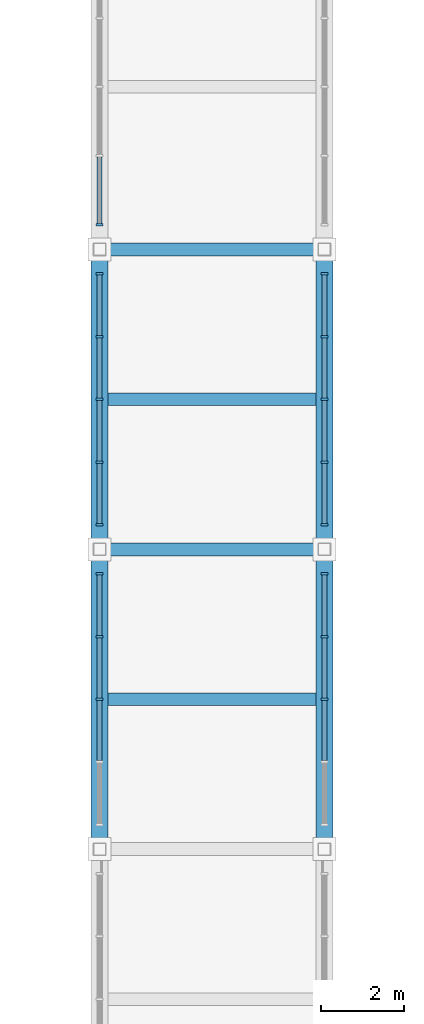
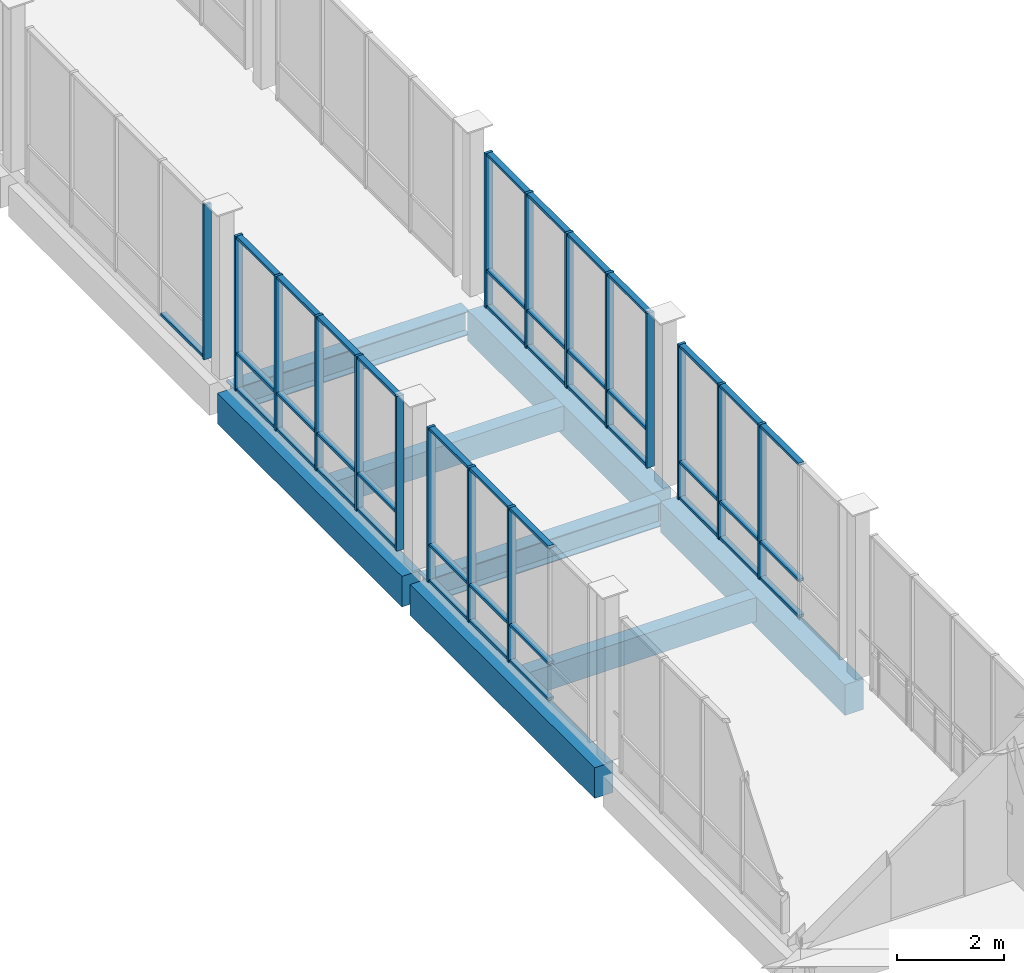
# One storey, part 22 of 85: 60 members, 8 beams, 5 elements without a shape of their own.
"""IFC4 building model written with IfcOpenShell, lengths in metres."""

from ifc_helpers import new_model, si_unit, direction, frame, origin, origin_2d, place, context, subcontext, project, spatial, rectangle, i_section, extrude, material, material_profile, profile_set, type_object, element, aggregate, save


model = new_model("IFC4")

# Units and contexts
model_context = context("Model", 3, precision=1e-05, world=origin(), true_north=direction((0.0, 1.0)))
body_context = subcontext(model_context, "Body", "Model", "MODEL_VIEW")
ifc_project = project(units=[si_unit("LENGTHUNIT", "METRE"), si_unit("AREAUNIT", "SQUARE_METRE"), si_unit("VOLUMEUNIT", "CUBIC_METRE"), si_unit("PLANEANGLEUNIT", "RADIAN"), si_unit("MASSUNIT", "GRAM", prefix="KILO")], contexts=[model_context])

# Site, building, storey
site_placement = place(None, origin())
site = spatial("IfcSite", under=ifc_project, at=site_placement, CompositionType="ELEMENT")
building_placement = place(site_placement, origin())
building = spatial("IfcBuilding", under=site, at=building_placement, Name="Vervanel Yard Central Library", CompositionType="ELEMENT")
storey_placement = place(building_placement, frame((0.0, 0.0, 5.10009765625)))
storey = spatial("IfcBuildingStorey", under=building, at=storey_placement, Name="L01", CompositionType="ELEMENT", Elevation=5.10009765625)

# Curtain wall, members
ifc_material_1 = material(Name="Thermally broken anodized aluminium 6063-T6", Category="aluminium")
curtain_wall_type = type_object("IfcCurtainWallType", Name="Boulevard Cafe & Bridge Curtain Wall", PredefinedType="NOTDEFINED", material=ifc_material_1)
curtain_wall_1_placement = place(storey_placement, origin())
curtain_wall_1 = element("IfcCurtainWall", 1, at=curtain_wall_1_placement, inside=storey, type_object=curtain_wall_type, Name="L01 Boulevard Cafe & Bridge Curtain Wall CWR-L01-177", PredefinedType="NOTDEFINED")
ifc_material_profile_1 = material_profile(ifc_material_1, rectangle(XDim=0.06005859375, YDim=0.159912109375, at=origin_2d()), Name="ALU 60x160", Category="aluminium")
ifc_profile_set_1 = profile_set([ifc_material_profile_1], Name="Thermally broken anodized aluminium 6063-T6")
member_type_1 = type_object("IfcMemberType", Name="Bridge & Courtyard Mullion 60x160", PredefinedType="MULLION", material=ifc_profile_set_1)
member_1_placement = place(storey_placement, frame((72.0, 32.39990234375, 0.0), z_axis=(0.0, 0.0, 1.0), x_axis=(0.0, 1.0, 0.0)))
member_1 = element("IfcMember", 2, at=member_1_placement, type_object=member_type_1, Name="CWR-L01-177 Mullion 3", PredefinedType="MULLION", context=body_context, shape_type="SweptSolid", body=[
    extrude(rectangle(XDim=0.06005859375, YDim=0.159912109375, at=origin_2d()), origin(), (0.0, 0.0, 1.0), 3.52978515625),
])
member_2_placement = place(storey_placement, frame((72.0, 33.905029296875, 0.0), z_axis=(0.0, 0.0, 1.0), x_axis=(0.0, 1.0, 0.0)))
member_2 = element("IfcMember", 3, at=member_2_placement, type_object=member_type_1, Name="CWR-L01-177 Mullion 4", PredefinedType="MULLION", context=body_context, shape_type="SweptSolid", body=[
    extrude(rectangle(XDim=0.06005859375, YDim=0.159912109375, at=origin_2d()), origin(), (0.0, 0.0, 1.0), 3.52978515625),
])
member_3_placement = place(storey_placement, frame((72.0, 35.409912109375, 0.0), z_axis=(0.0, 0.0, 1.0), x_axis=(0.0, 1.0, 0.0)))
member_3 = element("IfcMember", 4, at=member_3_placement, type_object=member_type_1, Name="CWR-L01-177 Mullion 5", PredefinedType="MULLION", context=body_context, shape_type="SweptSolid", body=[
    extrude(rectangle(XDim=0.06005859375, YDim=0.159912109375, at=origin_2d()), origin(), (0.0, 0.0, 1.0), 3.52978515625),
])

curtain_wall_2_placement = place(storey_placement, origin())
curtain_wall_2 = element("IfcCurtainWall", 5, at=curtain_wall_2_placement, inside=storey, type_object=curtain_wall_type, Name="L01 Boulevard Cafe & Bridge Curtain Wall CWR-L01-178", PredefinedType="NOTDEFINED")
member_4_placement = place(storey_placement, frame((72.0, 36.590087890625, 0.0), z_axis=(0.0, 0.0, 1.0), x_axis=(0.0, 1.0, 0.0)))
member_4 = element("IfcMember", 6, at=member_4_placement, type_object=member_type_1, Name="CWR-L01-178 Mullion 1", PredefinedType="MULLION", context=body_context, shape_type="SweptSolid", body=[
    extrude(rectangle(XDim=0.06005859375, YDim=0.159912109375, at=origin_2d()), origin(), (0.0, 0.0, 1.0), 3.52978515625),
])
member_5_placement = place(storey_placement, frame((72.0, 38.094970703125, 0.0), z_axis=(0.0, 0.0, 1.0), x_axis=(0.0, 1.0, 0.0)))
member_5 = element("IfcMember", 7, at=member_5_placement, type_object=member_type_1, Name="CWR-L01-178 Mullion 2", PredefinedType="MULLION", context=body_context, shape_type="SweptSolid", body=[
    extrude(rectangle(XDim=0.06005859375, YDim=0.159912109375, at=origin_2d()), origin(), (0.0, 0.0, 1.0), 3.52978515625),
])
member_6_placement = place(storey_placement, frame((72.0, 39.60009765625, 0.0), z_axis=(0.0, 0.0, 1.0), x_axis=(0.0, 1.0, 0.0)))
member_6 = element("IfcMember", 8, at=member_6_placement, type_object=member_type_1, Name="CWR-L01-178 Mullion 3", PredefinedType="MULLION", context=body_context, shape_type="SweptSolid", body=[
    extrude(rectangle(XDim=0.06005859375, YDim=0.159912109375, at=origin_2d()), origin(), (0.0, 0.0, 1.0), 3.52978515625),
])
member_7_placement = place(storey_placement, frame((72.0, 41.10498046875, 0.0), z_axis=(0.0, 0.0, 1.0), x_axis=(0.0, 1.0, 0.0)))
member_7 = element("IfcMember", 9, at=member_7_placement, type_object=member_type_1, Name="CWR-L01-178 Mullion 4", PredefinedType="MULLION", context=body_context, shape_type="SweptSolid", body=[
    extrude(rectangle(XDim=0.06005859375, YDim=0.159912109375, at=origin_2d()), origin(), (0.0, 0.0, 1.0), 3.52978515625),
])
member_8_placement = place(storey_placement, frame((72.0, 42.610107421875, 0.0), z_axis=(0.0, 0.0, 1.0), x_axis=(0.0, 1.0, 0.0)))
member_8 = element("IfcMember", 10, at=member_8_placement, type_object=member_type_1, Name="CWR-L01-178 Mullion 5", PredefinedType="MULLION", context=body_context, shape_type="SweptSolid", body=[
    extrude(rectangle(XDim=0.06005859375, YDim=0.159912109375, at=origin_2d()), origin(), (0.0, 0.0, 1.0), 3.52978515625),
])

# Curtain wall, member
curtain_wall_3_placement = place(storey_placement, origin())
curtain_wall_3 = element("IfcCurtainWall", 11, at=curtain_wall_3_placement, inside=storey, type_object=curtain_wall_type, Name="L01 Boulevard Cafe & Bridge Curtain Wall CWR-L01-179", PredefinedType="NOTDEFINED")
member_9_placement = place(storey_placement, frame((72.0, 43.7900390625, 0.0), z_axis=(0.0, 0.0, 1.0), x_axis=(0.0, 1.0, 0.0)))
member_9 = element("IfcMember", 12, at=member_9_placement, type_object=member_type_1, Name="CWR-L01-179 Mullion 1", PredefinedType="MULLION", context=body_context, shape_type="SweptSolid", body=[
    extrude(rectangle(XDim=0.06005859375, YDim=0.159912109375, at=origin_2d()), origin(), (0.0, 0.0, 1.0), 3.52978515625),
])

# Curtain wall, members
curtain_wall_4_placement = place(storey_placement, origin())
curtain_wall_4 = element("IfcCurtainWall", 13, at=curtain_wall_4_placement, inside=storey, type_object=curtain_wall_type, Name="L01 Boulevard Cafe & Bridge Curtain Wall CWR-L01-185", PredefinedType="NOTDEFINED")
member_10_placement = place(storey_placement, frame((77.39990234375, 32.39990234375, 0.0), z_axis=(0.0, 0.0, 1.0), x_axis=(0.0, 1.0, 0.0)))
member_10 = element("IfcMember", 14, at=member_10_placement, type_object=member_type_1, Name="CWR-L01-185 Mullion 3", PredefinedType="MULLION", context=body_context, shape_type="SweptSolid", body=[
    extrude(rectangle(XDim=0.06005859375, YDim=0.159912109375, at=origin_2d()), origin(), (0.0, 0.0, 1.0), 3.52978515625),
])
member_11_placement = place(storey_placement, frame((77.39990234375, 33.905029296875, 0.0), z_axis=(0.0, 0.0, 1.0), x_axis=(0.0, 1.0, 0.0)))
member_11 = element("IfcMember", 15, at=member_11_placement, type_object=member_type_1, Name="CWR-L01-185 Mullion 4", PredefinedType="MULLION", context=body_context, shape_type="SweptSolid", body=[
    extrude(rectangle(XDim=0.06005859375, YDim=0.159912109375, at=origin_2d()), origin(), (0.0, 0.0, 1.0), 3.52978515625),
])
member_12_placement = place(storey_placement, frame((77.39990234375, 35.409912109375, 0.0), z_axis=(0.0, 0.0, 1.0), x_axis=(0.0, 1.0, 0.0)))
member_12 = element("IfcMember", 16, at=member_12_placement, type_object=member_type_1, Name="CWR-L01-185 Mullion 5", PredefinedType="MULLION", context=body_context, shape_type="SweptSolid", body=[
    extrude(rectangle(XDim=0.06005859375, YDim=0.159912109375, at=origin_2d()), origin(), (0.0, 0.0, 1.0), 3.52978515625),
])

curtain_wall_5_placement = place(storey_placement, origin())
curtain_wall_5 = element("IfcCurtainWall", 17, at=curtain_wall_5_placement, inside=storey, type_object=curtain_wall_type, Name="L01 Boulevard Cafe & Bridge Curtain Wall CWR-L01-186", PredefinedType="NOTDEFINED")
member_13_placement = place(storey_placement, frame((77.39990234375, 36.590087890625, 0.0), z_axis=(0.0, 0.0, 1.0), x_axis=(0.0, 1.0, 0.0)))
member_13 = element("IfcMember", 18, at=member_13_placement, type_object=member_type_1, Name="CWR-L01-186 Mullion 1", PredefinedType="MULLION", context=body_context, shape_type="SweptSolid", body=[
    extrude(rectangle(XDim=0.06005859375, YDim=0.159912109375, at=origin_2d()), origin(), (0.0, 0.0, 1.0), 3.52978515625),
])
member_14_placement = place(storey_placement, frame((77.39990234375, 38.094970703125, 0.0), z_axis=(0.0, 0.0, 1.0), x_axis=(0.0, 1.0, 0.0)))
member_14 = element("IfcMember", 19, at=member_14_placement, type_object=member_type_1, Name="CWR-L01-186 Mullion 2", PredefinedType="MULLION", context=body_context, shape_type="SweptSolid", body=[
    extrude(rectangle(XDim=0.06005859375, YDim=0.159912109375, at=origin_2d()), origin(), (0.0, 0.0, 1.0), 3.52978515625),
])
member_15_placement = place(storey_placement, frame((77.39990234375, 39.60009765625, 0.0), z_axis=(0.0, 0.0, 1.0), x_axis=(0.0, 1.0, 0.0)))
member_15 = element("IfcMember", 20, at=member_15_placement, type_object=member_type_1, Name="CWR-L01-186 Mullion 3", PredefinedType="MULLION", context=body_context, shape_type="SweptSolid", body=[
    extrude(rectangle(XDim=0.06005859375, YDim=0.159912109375, at=origin_2d()), origin(), (0.0, 0.0, 1.0), 3.52978515625),
])
member_16_placement = place(storey_placement, frame((77.39990234375, 41.10498046875, 0.0), z_axis=(0.0, 0.0, 1.0), x_axis=(0.0, 1.0, 0.0)))
member_16 = element("IfcMember", 21, at=member_16_placement, type_object=member_type_1, Name="CWR-L01-186 Mullion 4", PredefinedType="MULLION", context=body_context, shape_type="SweptSolid", body=[
    extrude(rectangle(XDim=0.06005859375, YDim=0.159912109375, at=origin_2d()), origin(), (0.0, 0.0, 1.0), 3.52978515625),
])
member_17_placement = place(storey_placement, frame((77.39990234375, 42.610107421875, 0.0), z_axis=(0.0, 0.0, 1.0), x_axis=(0.0, 1.0, 0.0)))
member_17 = element("IfcMember", 22, at=member_17_placement, type_object=member_type_1, Name="CWR-L01-186 Mullion 5", PredefinedType="MULLION", context=body_context, shape_type="SweptSolid", body=[
    extrude(rectangle(XDim=0.06005859375, YDim=0.159912109375, at=origin_2d()), origin(), (0.0, 0.0, 1.0), 3.52978515625),
])

# Member
ifc_material_profile_2 = material_profile(ifc_material_1, rectangle(XDim=0.06005859375, YDim=0.1201171875, at=origin_2d()), Name="ALU 60x120", Category="aluminium")
ifc_profile_set_2 = profile_set([ifc_material_profile_2], Name="Thermally broken anodized aluminium 6063-T6")
member_type_2 = type_object("IfcMemberType", Name="Bridge & Courtyard Transom 60x120", PredefinedType="NOTDEFINED", material=ifc_profile_set_2)
member_18_placement = place(storey_placement, frame((72.0, 30.925048828125, 0.02978515625), z_axis=(0.0, 1.0, 0.0), x_axis=(0.0, 0.0, 1.0)))
member_18 = element("IfcMember", 23, at=member_18_placement, type_object=member_type_2, Name="CWR-L01-177 Transom B2-T1", ObjectType="TRANSOM", PredefinedType="USERDEFINED", context=body_context, shape_type="SweptSolid", body=[
    extrude(rectangle(XDim=0.06005859375, YDim=0.1201171875, at=origin_2d()), origin(), (0.0, 0.0, 1.0), 1.445068359375),
])

member_19_placement = place(storey_placement, frame((72.0, 30.925048828125, 0.849853515625), z_axis=(0.0, 1.0, 0.0), x_axis=(0.0, 0.0, 1.0)))
member_19 = element("IfcMember", 24, at=member_19_placement, type_object=member_type_2, Name="CWR-L01-177 Transom B2-T2", ObjectType="TRANSOM", PredefinedType="USERDEFINED", context=body_context, shape_type="SweptSolid", body=[
    extrude(rectangle(XDim=0.06005859375, YDim=0.1201171875, at=origin_2d()), origin(), (0.0, 0.0, 1.0), 1.445068359375),
])

member_20_placement = place(storey_placement, frame((72.0, 30.925048828125, 3.5), z_axis=(0.0, 1.0, 0.0), x_axis=(0.0, 0.0, 1.0)))
member_20 = element("IfcMember", 25, at=member_20_placement, type_object=member_type_2, Name="CWR-L01-177 Transom B2-T3", ObjectType="TRANSOM", PredefinedType="USERDEFINED", context=body_context, shape_type="SweptSolid", body=[
    extrude(rectangle(XDim=0.06005859375, YDim=0.1201171875, at=origin_2d()), origin(), (0.0, 0.0, 1.0), 1.445068359375),
])

member_21_placement = place(storey_placement, frame((72.0, 32.429931640625, 0.02978515625), z_axis=(0.0, 1.0, 0.0), x_axis=(0.0, 0.0, 1.0)))
member_21 = element("IfcMember", 26, at=member_21_placement, type_object=member_type_2, Name="CWR-L01-177 Transom B3-T1", ObjectType="TRANSOM", PredefinedType="USERDEFINED", context=body_context, shape_type="SweptSolid", body=[
    extrude(rectangle(XDim=0.06005859375, YDim=0.1201171875, at=origin_2d()), origin(), (0.0, 0.0, 1.0), 1.445068359375),
])

member_22_placement = place(storey_placement, frame((72.0, 32.429931640625, 0.849853515625), z_axis=(0.0, 1.0, 0.0), x_axis=(0.0, 0.0, 1.0)))
member_22 = element("IfcMember", 27, at=member_22_placement, type_object=member_type_2, Name="CWR-L01-177 Transom B3-T2", ObjectType="TRANSOM", PredefinedType="USERDEFINED", context=body_context, shape_type="SweptSolid", body=[
    extrude(rectangle(XDim=0.06005859375, YDim=0.1201171875, at=origin_2d()), origin(), (0.0, 0.0, 1.0), 1.445068359375),
])

member_23_placement = place(storey_placement, frame((72.0, 32.429931640625, 3.5), z_axis=(0.0, 1.0, 0.0), x_axis=(0.0, 0.0, 1.0)))
member_23 = element("IfcMember", 28, at=member_23_placement, type_object=member_type_2, Name="CWR-L01-177 Transom B3-T3", ObjectType="TRANSOM", PredefinedType="USERDEFINED", context=body_context, shape_type="SweptSolid", body=[
    extrude(rectangle(XDim=0.06005859375, YDim=0.1201171875, at=origin_2d()), origin(), (0.0, 0.0, 1.0), 1.445068359375),
])

member_24_placement = place(storey_placement, frame((72.0, 33.93505859375, 0.02978515625), z_axis=(0.0, 1.0, 0.0), x_axis=(0.0, 0.0, 1.0)))
member_24 = element("IfcMember", 29, at=member_24_placement, type_object=member_type_2, Name="CWR-L01-177 Transom B4-T1", ObjectType="TRANSOM", PredefinedType="USERDEFINED", context=body_context, shape_type="SweptSolid", body=[
    extrude(rectangle(XDim=0.06005859375, YDim=0.1201171875, at=origin_2d()), origin(), (0.0, 0.0, 1.0), 1.44482421875),
])

member_25_placement = place(storey_placement, frame((72.0, 33.93505859375, 0.849853515625), z_axis=(0.0, 1.0, 0.0), x_axis=(0.0, 0.0, 1.0)))
member_25 = element("IfcMember", 30, at=member_25_placement, type_object=member_type_2, Name="CWR-L01-177 Transom B4-T2", ObjectType="TRANSOM", PredefinedType="USERDEFINED", context=body_context, shape_type="SweptSolid", body=[
    extrude(rectangle(XDim=0.06005859375, YDim=0.1201171875, at=origin_2d()), origin(), (0.0, 0.0, 1.0), 1.44482421875),
])

member_26_placement = place(storey_placement, frame((72.0, 33.93505859375, 3.5), z_axis=(0.0, 1.0, 0.0), x_axis=(0.0, 0.0, 1.0)))
member_26 = element("IfcMember", 31, at=member_26_placement, type_object=member_type_2, Name="CWR-L01-177 Transom B4-T3", ObjectType="TRANSOM", PredefinedType="USERDEFINED", context=body_context, shape_type="SweptSolid", body=[
    extrude(rectangle(XDim=0.06005859375, YDim=0.1201171875, at=origin_2d()), origin(), (0.0, 0.0, 1.0), 1.44482421875),
])

aggregate(curtain_wall_1, [member_1, member_2, member_3, member_18, member_19, member_20, member_21, member_22, member_23, member_24, member_25, member_26])

member_27_placement = place(storey_placement, frame((72.0, 36.6201171875, 0.02978515625), z_axis=(0.0, 1.0, 0.0), x_axis=(0.0, 0.0, 1.0)))
member_27 = element("IfcMember", 32, at=member_27_placement, type_object=member_type_2, Name="CWR-L01-178 Transom B1-T1", ObjectType="TRANSOM", PredefinedType="USERDEFINED", context=body_context, shape_type="SweptSolid", body=[
    extrude(rectangle(XDim=0.06005859375, YDim=0.1201171875, at=origin_2d()), origin(), (0.0, 0.0, 1.0), 1.44482421875),
])

member_28_placement = place(storey_placement, frame((72.0, 36.6201171875, 0.849853515625), z_axis=(0.0, 1.0, 0.0), x_axis=(0.0, 0.0, 1.0)))
member_28 = element("IfcMember", 33, at=member_28_placement, type_object=member_type_2, Name="CWR-L01-178 Transom B1-T2", ObjectType="TRANSOM", PredefinedType="USERDEFINED", context=body_context, shape_type="SweptSolid", body=[
    extrude(rectangle(XDim=0.06005859375, YDim=0.1201171875, at=origin_2d()), origin(), (0.0, 0.0, 1.0), 1.44482421875),
])

member_29_placement = place(storey_placement, frame((72.0, 36.6201171875, 3.5), z_axis=(0.0, 1.0, 0.0), x_axis=(0.0, 0.0, 1.0)))
member_29 = element("IfcMember", 34, at=member_29_placement, type_object=member_type_2, Name="CWR-L01-178 Transom B1-T3", ObjectType="TRANSOM", PredefinedType="USERDEFINED", context=body_context, shape_type="SweptSolid", body=[
    extrude(rectangle(XDim=0.06005859375, YDim=0.1201171875, at=origin_2d()), origin(), (0.0, 0.0, 1.0), 1.44482421875),
])

member_30_placement = place(storey_placement, frame((72.0, 38.125, 0.02978515625), z_axis=(0.0, 1.0, 0.0), x_axis=(0.0, 0.0, 1.0)))
member_30 = element("IfcMember", 35, at=member_30_placement, type_object=member_type_2, Name="CWR-L01-178 Transom B2-T1", ObjectType="TRANSOM", PredefinedType="USERDEFINED", context=body_context, shape_type="SweptSolid", body=[
    extrude(rectangle(XDim=0.06005859375, YDim=0.1201171875, at=origin_2d()), origin(), (0.0, 0.0, 1.0), 1.445068359375),
])

member_31_placement = place(storey_placement, frame((72.0, 38.125, 0.849853515625), z_axis=(0.0, 1.0, 0.0), x_axis=(0.0, 0.0, 1.0)))
member_31 = element("IfcMember", 36, at=member_31_placement, type_object=member_type_2, Name="CWR-L01-178 Transom B2-T2", ObjectType="TRANSOM", PredefinedType="USERDEFINED", context=body_context, shape_type="SweptSolid", body=[
    extrude(rectangle(XDim=0.06005859375, YDim=0.1201171875, at=origin_2d()), origin(), (0.0, 0.0, 1.0), 1.445068359375),
])

member_32_placement = place(storey_placement, frame((72.0, 38.125, 3.5), z_axis=(0.0, 1.0, 0.0), x_axis=(0.0, 0.0, 1.0)))
member_32 = element("IfcMember", 37, at=member_32_placement, type_object=member_type_2, Name="CWR-L01-178 Transom B2-T3", ObjectType="TRANSOM", PredefinedType="USERDEFINED", context=body_context, shape_type="SweptSolid", body=[
    extrude(rectangle(XDim=0.06005859375, YDim=0.1201171875, at=origin_2d()), origin(), (0.0, 0.0, 1.0), 1.445068359375),
])

member_33_placement = place(storey_placement, frame((72.0, 39.6298828125, 0.02978515625), z_axis=(0.0, 1.0, 0.0), x_axis=(0.0, 0.0, 1.0)))
member_33 = element("IfcMember", 38, at=member_33_placement, type_object=member_type_2, Name="CWR-L01-178 Transom B3-T1", ObjectType="TRANSOM", PredefinedType="USERDEFINED", context=body_context, shape_type="SweptSolid", body=[
    extrude(rectangle(XDim=0.06005859375, YDim=0.1201171875, at=origin_2d()), origin(), (0.0, 0.0, 1.0), 1.445068359375),
])

member_34_placement = place(storey_placement, frame((72.0, 39.6298828125, 0.849853515625), z_axis=(0.0, 1.0, 0.0), x_axis=(0.0, 0.0, 1.0)))
member_34 = element("IfcMember", 39, at=member_34_placement, type_object=member_type_2, Name="CWR-L01-178 Transom B3-T2", ObjectType="TRANSOM", PredefinedType="USERDEFINED", context=body_context, shape_type="SweptSolid", body=[
    extrude(rectangle(XDim=0.06005859375, YDim=0.1201171875, at=origin_2d()), origin(), (0.0, 0.0, 1.0), 1.445068359375),
])

member_35_placement = place(storey_placement, frame((72.0, 39.6298828125, 3.5), z_axis=(0.0, 1.0, 0.0), x_axis=(0.0, 0.0, 1.0)))
member_35 = element("IfcMember", 40, at=member_35_placement, type_object=member_type_2, Name="CWR-L01-178 Transom B3-T3", ObjectType="TRANSOM", PredefinedType="USERDEFINED", context=body_context, shape_type="SweptSolid", body=[
    extrude(rectangle(XDim=0.06005859375, YDim=0.1201171875, at=origin_2d()), origin(), (0.0, 0.0, 1.0), 1.445068359375),
])

member_36_placement = place(storey_placement, frame((72.0, 41.135009765625, 0.02978515625), z_axis=(0.0, 1.0, 0.0), x_axis=(0.0, 0.0, 1.0)))
member_36 = element("IfcMember", 41, at=member_36_placement, type_object=member_type_2, Name="CWR-L01-178 Transom B4-T1", ObjectType="TRANSOM", PredefinedType="USERDEFINED", context=body_context, shape_type="SweptSolid", body=[
    extrude(rectangle(XDim=0.06005859375, YDim=0.1201171875, at=origin_2d()), origin(), (0.0, 0.0, 1.0), 1.445068359375),
])

member_37_placement = place(storey_placement, frame((72.0, 41.135009765625, 0.849853515625), z_axis=(0.0, 1.0, 0.0), x_axis=(0.0, 0.0, 1.0)))
member_37 = element("IfcMember", 42, at=member_37_placement, type_object=member_type_2, Name="CWR-L01-178 Transom B4-T2", ObjectType="TRANSOM", PredefinedType="USERDEFINED", context=body_context, shape_type="SweptSolid", body=[
    extrude(rectangle(XDim=0.06005859375, YDim=0.1201171875, at=origin_2d()), origin(), (0.0, 0.0, 1.0), 1.445068359375),
])

member_38_placement = place(storey_placement, frame((72.0, 41.135009765625, 3.5), z_axis=(0.0, 1.0, 0.0), x_axis=(0.0, 0.0, 1.0)))
member_38 = element("IfcMember", 43, at=member_38_placement, type_object=member_type_2, Name="CWR-L01-178 Transom B4-T3", ObjectType="TRANSOM", PredefinedType="USERDEFINED", context=body_context, shape_type="SweptSolid", body=[
    extrude(rectangle(XDim=0.06005859375, YDim=0.1201171875, at=origin_2d()), origin(), (0.0, 0.0, 1.0), 1.445068359375),
])

aggregate(curtain_wall_2, [member_4, member_5, member_6, member_7, member_8, member_27, member_28, member_29, member_30, member_31, member_32, member_33, member_34, member_35, member_36, member_37, member_38])

member_39_placement = place(storey_placement, frame((72.0, 43.820068359375, 0.02978515625), z_axis=(0.0, 1.0, 0.0), x_axis=(0.0, 0.0, 1.0)))
member_39 = element("IfcMember", 44, at=member_39_placement, type_object=member_type_2, Name="CWR-L01-179 Transom B1-T1", ObjectType="TRANSOM", PredefinedType="USERDEFINED", context=body_context, shape_type="SweptSolid", body=[
    extrude(rectangle(XDim=0.06005859375, YDim=0.1201171875, at=origin_2d()), origin(), (0.0, 0.0, 1.0), 1.594970703125),
])

aggregate(curtain_wall_3, [member_9, member_39])

member_40_placement = place(storey_placement, frame((77.39990234375, 30.925048828125, 0.02978515625), z_axis=(0.0, 1.0, 0.0), x_axis=(0.0, 0.0, 1.0)))
member_40 = element("IfcMember", 45, at=member_40_placement, type_object=member_type_2, Name="CWR-L01-185 Transom B2-T1", ObjectType="TRANSOM", PredefinedType="USERDEFINED", context=body_context, shape_type="SweptSolid", body=[
    extrude(rectangle(XDim=0.06005859375, YDim=0.1201171875, at=origin_2d()), origin(), (0.0, 0.0, 1.0), 1.445068359375),
])

member_41_placement = place(storey_placement, frame((77.39990234375, 30.925048828125, 0.849853515625), z_axis=(0.0, 1.0, 0.0), x_axis=(0.0, 0.0, 1.0)))
member_41 = element("IfcMember", 46, at=member_41_placement, type_object=member_type_2, Name="CWR-L01-185 Transom B2-T2", ObjectType="TRANSOM", PredefinedType="USERDEFINED", context=body_context, shape_type="SweptSolid", body=[
    extrude(rectangle(XDim=0.06005859375, YDim=0.1201171875, at=origin_2d()), origin(), (0.0, 0.0, 1.0), 1.445068359375),
])

member_42_placement = place(storey_placement, frame((77.39990234375, 30.925048828125, 3.5), z_axis=(0.0, 1.0, 0.0), x_axis=(0.0, 0.0, 1.0)))
member_42 = element("IfcMember", 47, at=member_42_placement, type_object=member_type_2, Name="CWR-L01-185 Transom B2-T3", ObjectType="TRANSOM", PredefinedType="USERDEFINED", context=body_context, shape_type="SweptSolid", body=[
    extrude(rectangle(XDim=0.06005859375, YDim=0.1201171875, at=origin_2d()), origin(), (0.0, 0.0, 1.0), 1.445068359375),
])

member_43_placement = place(storey_placement, frame((77.39990234375, 32.429931640625, 0.02978515625), z_axis=(0.0, 1.0, 0.0), x_axis=(0.0, 0.0, 1.0)))
member_43 = element("IfcMember", 48, at=member_43_placement, type_object=member_type_2, Name="CWR-L01-185 Transom B3-T1", ObjectType="TRANSOM", PredefinedType="USERDEFINED", context=body_context, shape_type="SweptSolid", body=[
    extrude(rectangle(XDim=0.06005859375, YDim=0.1201171875, at=origin_2d()), origin(), (0.0, 0.0, 1.0), 1.445068359375),
])

member_44_placement = place(storey_placement, frame((77.39990234375, 32.429931640625, 0.849853515625), z_axis=(0.0, 1.0, 0.0), x_axis=(0.0, 0.0, 1.0)))
member_44 = element("IfcMember", 49, at=member_44_placement, type_object=member_type_2, Name="CWR-L01-185 Transom B3-T2", ObjectType="TRANSOM", PredefinedType="USERDEFINED", context=body_context, shape_type="SweptSolid", body=[
    extrude(rectangle(XDim=0.06005859375, YDim=0.1201171875, at=origin_2d()), origin(), (0.0, 0.0, 1.0), 1.445068359375),
])

member_45_placement = place(storey_placement, frame((77.39990234375, 32.429931640625, 3.5), z_axis=(0.0, 1.0, 0.0), x_axis=(0.0, 0.0, 1.0)))
member_45 = element("IfcMember", 50, at=member_45_placement, type_object=member_type_2, Name="CWR-L01-185 Transom B3-T3", ObjectType="TRANSOM", PredefinedType="USERDEFINED", context=body_context, shape_type="SweptSolid", body=[
    extrude(rectangle(XDim=0.06005859375, YDim=0.1201171875, at=origin_2d()), origin(), (0.0, 0.0, 1.0), 1.445068359375),
])

member_46_placement = place(storey_placement, frame((77.39990234375, 33.93505859375, 0.02978515625), z_axis=(0.0, 1.0, 0.0), x_axis=(0.0, 0.0, 1.0)))
member_46 = element("IfcMember", 51, at=member_46_placement, type_object=member_type_2, Name="CWR-L01-185 Transom B4-T1", ObjectType="TRANSOM", PredefinedType="USERDEFINED", context=body_context, shape_type="SweptSolid", body=[
    extrude(rectangle(XDim=0.06005859375, YDim=0.1201171875, at=origin_2d()), origin(), (0.0, 0.0, 1.0), 1.44482421875),
])

member_47_placement = place(storey_placement, frame((77.39990234375, 33.93505859375, 0.849853515625), z_axis=(0.0, 1.0, 0.0), x_axis=(0.0, 0.0, 1.0)))
member_47 = element("IfcMember", 52, at=member_47_placement, type_object=member_type_2, Name="CWR-L01-185 Transom B4-T2", ObjectType="TRANSOM", PredefinedType="USERDEFINED", context=body_context, shape_type="SweptSolid", body=[
    extrude(rectangle(XDim=0.06005859375, YDim=0.1201171875, at=origin_2d()), origin(), (0.0, 0.0, 1.0), 1.44482421875),
])

member_48_placement = place(storey_placement, frame((77.39990234375, 33.93505859375, 3.5), z_axis=(0.0, 1.0, 0.0), x_axis=(0.0, 0.0, 1.0)))
member_48 = element("IfcMember", 53, at=member_48_placement, type_object=member_type_2, Name="CWR-L01-185 Transom B4-T3", ObjectType="TRANSOM", PredefinedType="USERDEFINED", context=body_context, shape_type="SweptSolid", body=[
    extrude(rectangle(XDim=0.06005859375, YDim=0.1201171875, at=origin_2d()), origin(), (0.0, 0.0, 1.0), 1.44482421875),
])

aggregate(curtain_wall_4, [member_10, member_11, member_12, member_40, member_41, member_42, member_43, member_44, member_45, member_46, member_47, member_48])

member_49_placement = place(storey_placement, frame((77.39990234375, 36.6201171875, 0.02978515625), z_axis=(0.0, 1.0, 0.0), x_axis=(0.0, 0.0, 1.0)))
member_49 = element("IfcMember", 54, at=member_49_placement, type_object=member_type_2, Name="CWR-L01-186 Transom B1-T1", ObjectType="TRANSOM", PredefinedType="USERDEFINED", context=body_context, shape_type="SweptSolid", body=[
    extrude(rectangle(XDim=0.06005859375, YDim=0.1201171875, at=origin_2d()), origin(), (0.0, 0.0, 1.0), 1.44482421875),
])

member_50_placement = place(storey_placement, frame((77.39990234375, 36.6201171875, 0.849853515625), z_axis=(0.0, 1.0, 0.0), x_axis=(0.0, 0.0, 1.0)))
member_50 = element("IfcMember", 55, at=member_50_placement, type_object=member_type_2, Name="CWR-L01-186 Transom B1-T2", ObjectType="TRANSOM", PredefinedType="USERDEFINED", context=body_context, shape_type="SweptSolid", body=[
    extrude(rectangle(XDim=0.06005859375, YDim=0.1201171875, at=origin_2d()), origin(), (0.0, 0.0, 1.0), 1.44482421875),
])

member_51_placement = place(storey_placement, frame((77.39990234375, 36.6201171875, 3.5), z_axis=(0.0, 1.0, 0.0), x_axis=(0.0, 0.0, 1.0)))
member_51 = element("IfcMember", 56, at=member_51_placement, type_object=member_type_2, Name="CWR-L01-186 Transom B1-T3", ObjectType="TRANSOM", PredefinedType="USERDEFINED", context=body_context, shape_type="SweptSolid", body=[
    extrude(rectangle(XDim=0.06005859375, YDim=0.1201171875, at=origin_2d()), origin(), (0.0, 0.0, 1.0), 1.44482421875),
])

member_52_placement = place(storey_placement, frame((77.39990234375, 38.125, 0.02978515625), z_axis=(0.0, 1.0, 0.0), x_axis=(0.0, 0.0, 1.0)))
member_52 = element("IfcMember", 57, at=member_52_placement, type_object=member_type_2, Name="CWR-L01-186 Transom B2-T1", ObjectType="TRANSOM", PredefinedType="USERDEFINED", context=body_context, shape_type="SweptSolid", body=[
    extrude(rectangle(XDim=0.06005859375, YDim=0.1201171875, at=origin_2d()), origin(), (0.0, 0.0, 1.0), 1.445068359375),
])

member_53_placement = place(storey_placement, frame((77.39990234375, 38.125, 0.849853515625), z_axis=(0.0, 1.0, 0.0), x_axis=(0.0, 0.0, 1.0)))
member_53 = element("IfcMember", 58, at=member_53_placement, type_object=member_type_2, Name="CWR-L01-186 Transom B2-T2", ObjectType="TRANSOM", PredefinedType="USERDEFINED", context=body_context, shape_type="SweptSolid", body=[
    extrude(rectangle(XDim=0.06005859375, YDim=0.1201171875, at=origin_2d()), origin(), (0.0, 0.0, 1.0), 1.445068359375),
])

member_54_placement = place(storey_placement, frame((77.39990234375, 38.125, 3.5), z_axis=(0.0, 1.0, 0.0), x_axis=(0.0, 0.0, 1.0)))
member_54 = element("IfcMember", 59, at=member_54_placement, type_object=member_type_2, Name="CWR-L01-186 Transom B2-T3", ObjectType="TRANSOM", PredefinedType="USERDEFINED", context=body_context, shape_type="SweptSolid", body=[
    extrude(rectangle(XDim=0.06005859375, YDim=0.1201171875, at=origin_2d()), origin(), (0.0, 0.0, 1.0), 1.445068359375),
])

member_55_placement = place(storey_placement, frame((77.39990234375, 39.6298828125, 0.02978515625), z_axis=(0.0, 1.0, 0.0), x_axis=(0.0, 0.0, 1.0)))
member_55 = element("IfcMember", 60, at=member_55_placement, type_object=member_type_2, Name="CWR-L01-186 Transom B3-T1", ObjectType="TRANSOM", PredefinedType="USERDEFINED", context=body_context, shape_type="SweptSolid", body=[
    extrude(rectangle(XDim=0.06005859375, YDim=0.1201171875, at=origin_2d()), origin(), (0.0, 0.0, 1.0), 1.445068359375),
])

member_56_placement = place(storey_placement, frame((77.39990234375, 39.6298828125, 0.849853515625), z_axis=(0.0, 1.0, 0.0), x_axis=(0.0, 0.0, 1.0)))
member_56 = element("IfcMember", 61, at=member_56_placement, type_object=member_type_2, Name="CWR-L01-186 Transom B3-T2", ObjectType="TRANSOM", PredefinedType="USERDEFINED", context=body_context, shape_type="SweptSolid", body=[
    extrude(rectangle(XDim=0.06005859375, YDim=0.1201171875, at=origin_2d()), origin(), (0.0, 0.0, 1.0), 1.445068359375),
])

member_57_placement = place(storey_placement, frame((77.39990234375, 39.6298828125, 3.5), z_axis=(0.0, 1.0, 0.0), x_axis=(0.0, 0.0, 1.0)))
member_57 = element("IfcMember", 62, at=member_57_placement, type_object=member_type_2, Name="CWR-L01-186 Transom B3-T3", ObjectType="TRANSOM", PredefinedType="USERDEFINED", context=body_context, shape_type="SweptSolid", body=[
    extrude(rectangle(XDim=0.06005859375, YDim=0.1201171875, at=origin_2d()), origin(), (0.0, 0.0, 1.0), 1.445068359375),
])

member_58_placement = place(storey_placement, frame((77.39990234375, 41.135009765625, 0.02978515625), z_axis=(0.0, 1.0, 0.0), x_axis=(0.0, 0.0, 1.0)))
member_58 = element("IfcMember", 63, at=member_58_placement, type_object=member_type_2, Name="CWR-L01-186 Transom B4-T1", ObjectType="TRANSOM", PredefinedType="USERDEFINED", context=body_context, shape_type="SweptSolid", body=[
    extrude(rectangle(XDim=0.06005859375, YDim=0.1201171875, at=origin_2d()), origin(), (0.0, 0.0, 1.0), 1.445068359375),
])

member_59_placement = place(storey_placement, frame((77.39990234375, 41.135009765625, 0.849853515625), z_axis=(0.0, 1.0, 0.0), x_axis=(0.0, 0.0, 1.0)))
member_59 = element("IfcMember", 64, at=member_59_placement, type_object=member_type_2, Name="CWR-L01-186 Transom B4-T2", ObjectType="TRANSOM", PredefinedType="USERDEFINED", context=body_context, shape_type="SweptSolid", body=[
    extrude(rectangle(XDim=0.06005859375, YDim=0.1201171875, at=origin_2d()), origin(), (0.0, 0.0, 1.0), 1.445068359375),
])

member_60_placement = place(storey_placement, frame((77.39990234375, 41.135009765625, 3.5), z_axis=(0.0, 1.0, 0.0), x_axis=(0.0, 0.0, 1.0)))
member_60 = element("IfcMember", 65, at=member_60_placement, type_object=member_type_2, Name="CWR-L01-186 Transom B4-T3", ObjectType="TRANSOM", PredefinedType="USERDEFINED", context=body_context, shape_type="SweptSolid", body=[
    extrude(rectangle(XDim=0.06005859375, YDim=0.1201171875, at=origin_2d()), origin(), (0.0, 0.0, 1.0), 1.445068359375),
])

aggregate(curtain_wall_5, [member_13, member_14, member_15, member_16, member_17, member_49, member_50, member_51, member_52, member_53, member_54, member_55, member_56, member_57, member_58, member_59, member_60])

# Beams
ifc_material_2 = material(Name="Concrete C40/50", Category="concrete")
ifc_material_profile_3 = material_profile(ifc_material_2, rectangle(XDim=0.39990234375, YDim=0.699951171875, at=origin_2d()), Name="RC 400x700", Category="concrete")
ifc_profile_set_3 = profile_set([ifc_material_profile_3], Name="Concrete C40/50")
beam_type_1 = type_object("IfcBeamType", Name="Concrete Perimeter Spandrel 400x700", PredefinedType="SPANDREL", material=ifc_profile_set_3)
for number, where, z_axis, x_axis, name in (
    (66, (72.0, 28.952392578125, -0.630126953125), (0.0, 1.0, 0.0), (-1.0, 0.0, 0.0), "L01 Girder SP-01 X=72.0 Y=28.8-36.0"),
    (67, (72.0, 36.15234375, -0.630126953125), (0.0, 1.0, 0.0), (-1.0, 0.0, 0.0), "L01 Girder SP-01 X=72.0 Y=36.0-43.2"),
    (68, (77.39990234375, 28.952392578125, -0.630126953125), (0.0, 1.0, 0.0), (-1.0, 0.0, 0.0), "L01 Girder SP-01 X=77.4 Y=28.8-36.0"),
    (69, (77.39990234375, 36.15234375, -0.630126953125), (0.0, 1.0, 0.0), (-1.0, 0.0, 0.0), "L01 Girder SP-01 X=77.4 Y=36.0-43.2"),
):
    element("IfcBeam", number, at=place(storey_placement, frame(where, z_axis=z_axis, x_axis=x_axis)), inside=storey, type_object=beam_type_1, Name=name, PredefinedType="SPANDREL", context=body_context, shape_type="SweptSolid", body=[
        extrude(rectangle(XDim=0.39990234375, YDim=0.699951171875, at=origin_2d()), origin(), (0.0, 0.0, 1.0), 6.895263671875),
    ])
ifc_material_profile_4 = material_profile(ifc_material_2, rectangle(XDim=0.300048828125, YDim=0.550048828125, at=origin_2d()), Name="RC 300x550", Category="concrete")
ifc_profile_set_4 = profile_set([ifc_material_profile_4], Name="Concrete C40/50")
beam_type_2 = type_object("IfcBeamType", Name="Concrete Secondary Joist 300x550", PredefinedType="JOIST", material=ifc_profile_set_4)
for number, where, z_axis, x_axis, name in (
    (70, (72.199951171875, 32.39990234375, -0.55517578125), (1.0, 0.0, 0.0), (0.0, 1.0, 0.0), "L01 Floor Joist CJ-02 Y=32.40 X=72.0-77.4"),
    (71, (72.199951171875, 39.60009765625, -0.55517578125), (1.0, 0.0, 0.0), (0.0, 1.0, 0.0), "L01 Floor Joist CJ-02 Y=39.60 X=72.0-77.4"),
):
    element("IfcBeam", number, at=place(storey_placement, frame(where, z_axis=z_axis, x_axis=x_axis)), inside=storey, type_object=beam_type_2, Name=name, PredefinedType="JOIST", context=body_context, shape_type="SweptSolid", body=[
        extrude(rectangle(XDim=0.300048828125, YDim=0.550048828125, at=origin_2d()), origin(), (0.0, 0.0, 1.0), 5.0),
    ])
ifc_material_3 = material(Name="Steel ASTM A992 Grade 50", Category="steel")
ifc_material_profile_5 = material_profile(ifc_material_3, i_section(OverallWidth=0.3125, OverallDepth=0.54345703125, WebThickness=0.0126953125, FlangeThickness=0.020263671875, at=origin_2d()), Name="W21X101", Category="steel")
ifc_profile_set_5 = profile_set([ifc_material_profile_5], Name="Steel ASTM A992 Grade 50")
beam_type_3 = type_object("IfcBeamType", Name="Steel Bridge Girder W21X101", PredefinedType="BEAM", material=ifc_profile_set_5)
for number, where, z_axis, x_axis, name in (
    (72, (72.159912109375, 36.0, -0.576904296875), (1.0, 0.0, 0.0), (0.0, 1.0, 0.0), "L01 Courtyard Reading Bridge Transverse Girder SB-07-2"),
    (73, (72.159912109375, 43.199951171875, -0.576904296875), (1.0, 0.0, 0.0), (0.0, 1.0, 0.0), "L01 Courtyard Reading Bridge Transverse Girder SB-07-3"),
):
    element("IfcBeam", number, at=place(storey_placement, frame(where, z_axis=z_axis, x_axis=x_axis)), inside=storey, type_object=beam_type_3, Name=name, PredefinedType="BEAM", context=body_context, shape_type="SweptSolid", body=[
        extrude(i_section(OverallWidth=0.3125, OverallDepth=0.54345703125, WebThickness=0.0126953125, FlangeThickness=0.020263671875, at=origin_2d()), origin(), (0.0, 0.0, 1.0), 5.080078125),
    ])

save(model, "model.ifc")
